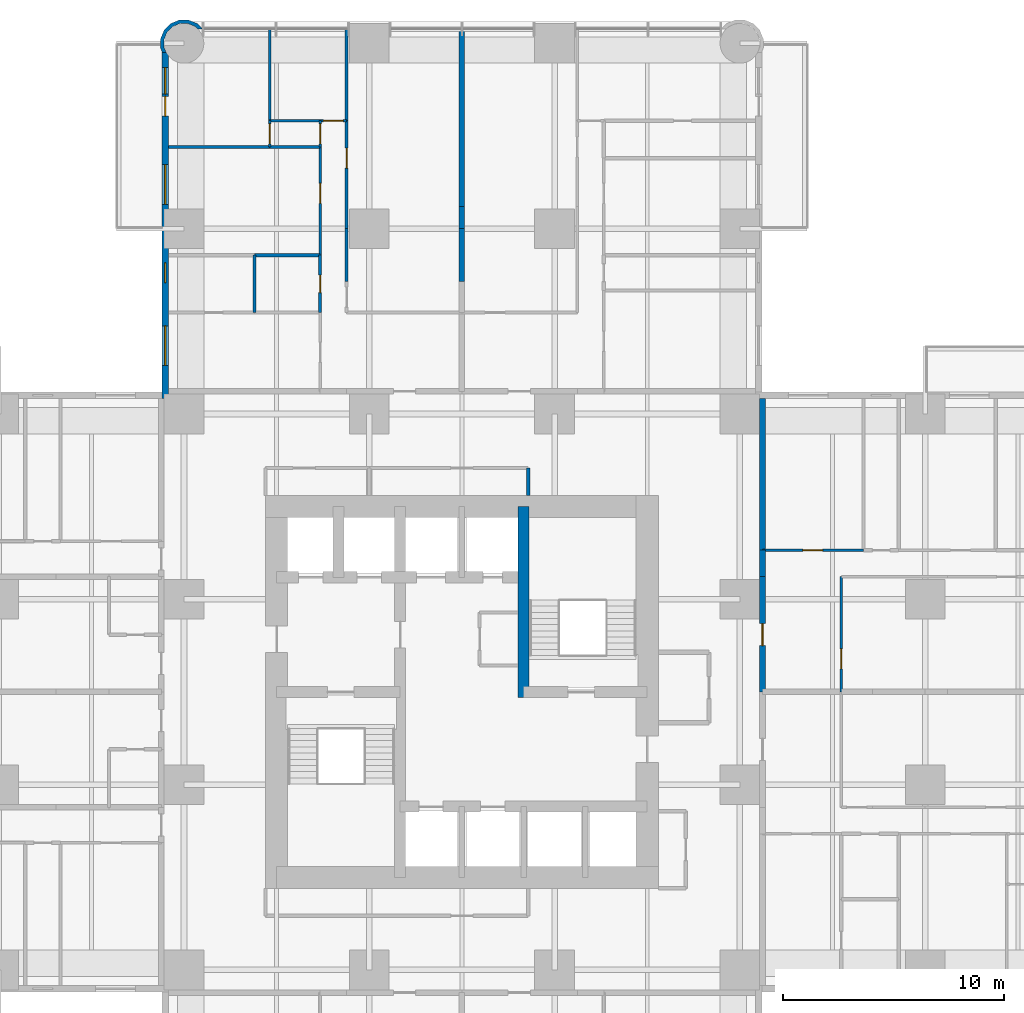
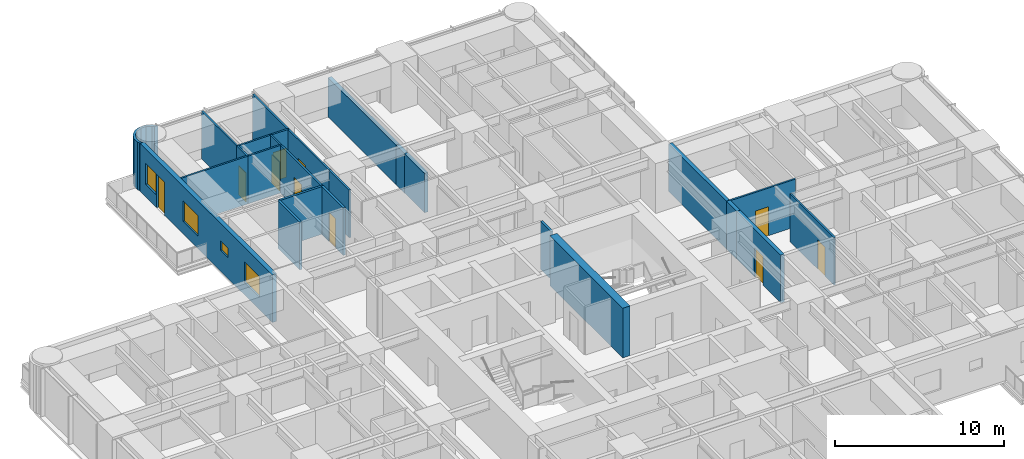
# One storey, part 13 of 17: 26 walls, 10 doors, 4 windows, 14 openings.
"""IFC4 building model written with IfcOpenShell, lengths in metres."""

from ifc_helpers import new_model, si_unit, direction, frame, frame_2d, origin, place, context, subcontext, project, spatial, polyline, rectangle, outline, extrude, material, layer, layer_set, type_object, element, fill, save


model = new_model("IFC4")

# Units and contexts
model_context = context("Model", 3, precision=1e-05, world=origin(), true_north=direction((0.0, 1.0)))
body_context = subcontext(model_context, "Body", "Model", "MODEL_VIEW")
ifc_project = project(units=[si_unit("LENGTHUNIT", "METRE"), si_unit("AREAUNIT", "SQUARE_METRE"), si_unit("VOLUMEUNIT", "CUBIC_METRE"), si_unit("PLANEANGLEUNIT", "RADIAN"), si_unit("MASSUNIT", "GRAM", prefix="KILO")], contexts=[model_context])

# Site, building, storey
site_placement = place(None, origin())
site = spatial("IfcSite", under=ifc_project, at=site_placement, CompositionType="ELEMENT")
building_placement = place(site_placement, origin())
building = spatial("IfcBuilding", under=site, at=building_placement, Name="Torre Alcanfor", CompositionType="ELEMENT")
storey_placement = place(building_placement, frame((0.0, 0.0, 74.10009765625)))
storey = spatial("IfcBuildingStorey", under=building, at=storey_placement, Name="L18", CompositionType="ELEMENT", Elevation=74.10009765625)

# Wall, opening, door
ifc_material_1 = material(Name="Concrete block masonry, hollow blocks NMX-C-404 9 MPa", Category="masonry")
ifc_layer_1 = layer(ifc_material_1, 0.25)
ifc_layer_set_1 = layer_set([ifc_layer_1], Name="Apartment entrance wall 250 EI 60")
wall_type_1 = type_object("IfcWallType", Name="Apartment entrance wall 250 EI 60", PredefinedType="PARTITIONING", material=ifc_layer_set_1)
wall_1_placement = place(storey_placement, frame((43.02490234375, 34.62890625, 0.0), z_axis=(0.0, 0.0, 1.0), x_axis=(0.0, -1.0, 0.0)))
wall_1 = element("IfcWall", 1, at=wall_1_placement, inside=storey, type_object=wall_type_1, Name="Partition L18-CORR / L18-E1-ZAG", PredefinedType="PARTITIONING", context=body_context, shape_type="SweptSolid", body=[
    extrude(rectangle(XDim=5.22900390625, YDim=0.25, at=frame_2d((2.614501953125, 0.0))), origin(), (0.0, 0.0, 1.0), 3.449951171875),
])
opening_1_placement = place(wall_1_placement, frame((2.12890625, 0.0, 0.0)))
opening_1 = element("IfcOpeningElement", 2, at=opening_1_placement, cuts=wall_1, Name="Opening D-A1", PredefinedType="OPENING", context=body_context, shape_type="SweptSolid", body=[
    extrude(rectangle(XDim=1.0, YDim=2.10009765625, at=frame_2d((0.5, 1.050048828125))), frame((0.0, 0.135009765625, 0.0), z_axis=(0.0, -1.0, 0.0), x_axis=(1.0, 0.0, 0.0)), (0.0, 0.0, 1.0), 0.27001953125),
])
ifc_material_2 = material(Name="Galvanised steel sheet ASTM A653", Category="steel")
door_type_1 = type_object("IfcDoorType", Name="Apartment entrance door FD60 1000x2100", OperationType="SINGLE_SWING_LEFT", PredefinedType="DOOR", material=ifc_material_2)
door_1_placement = place(opening_1_placement, origin())
door_1 = element("IfcDoor", 3, at=door_1_placement, inside=storey, type_object=door_type_1, Name="Apartment entrance L18-E1", OperationType="SINGLE_SWING_RIGHT", OverallHeight=2.10009765625, OverallWidth=1.0, PredefinedType="DOOR", context=body_context, shape_type="SweptSolid", body=[
    extrude(rectangle(XDim=1.0, YDim=2.10009765625, at=frame_2d((0.5, 1.050048828125))), frame((0.0, 0.02490234375, 0.0), z_axis=(0.0, -1.0, 0.0), x_axis=(1.0, 0.0, 0.0)), (0.0, 0.0, 1.0), 0.050048828125),
])
fill(opening_1, door_1)

# Walls
wall_2_placement = place(storey_placement, frame((43.02490234375, 35.8291015625, 0.0), z_axis=(0.0, 0.0, 1.0), x_axis=(0.0, -1.0, 0.0)))
element("IfcWall", 4, at=wall_2_placement, inside=storey, type_object=wall_type_1, Name="Partition L18-CORR / L18-E1-HALL", PredefinedType="PARTITIONING", context=body_context, shape_type="SweptSolid", body=[
    extrude(rectangle(XDim=1.2001953125, YDim=0.25, at=frame_2d((0.60009765625, 0.0))), origin(), (0.0, 0.0, 1.0), 3.449951171875),
])
wall_3_placement = place(storey_placement, frame((43.02490234375, 42.699951171875, 0.0), z_axis=(0.0, 0.0, 1.0), x_axis=(0.0, -1.0, 0.0)))
element("IfcWall", 5, at=wall_3_placement, inside=storey, type_object=wall_type_1, Name="Partition L18-CORR / L18-E1-BED3", PredefinedType="PARTITIONING", context=body_context, shape_type="SweptSolid", body=[
    extrude(rectangle(XDim=6.870849609375, YDim=0.25, at=frame_2d((3.435546875, 0.0))), origin(), (0.0, 0.0, 1.0), 3.449951171875),
])
ifc_material_3 = material(Name="Gypsum board on steel studs", Category="steel")
ifc_layer_2 = layer(ifc_material_3, 0.1201171875)
ifc_layer_set_2 = layer_set([ifc_layer_2], Name="Apartment partition 120")
wall_type_2 = type_object("IfcWallType", Name="Apartment partition 120", PredefinedType="PARTITIONING", material=ifc_layer_set_2)
wall_4_placement = place(storey_placement, frame((24.1708984375, 50.39990234375, 0.0), z_axis=(0.0, 0.0, 1.0), x_axis=(0.0, -1.0, 0.0)))
element("IfcWall", 6, at=wall_4_placement, inside=storey, type_object=wall_type_2, Name="Partition L18-N1-KITCHEN / L18-N1-HALL", PredefinedType="PARTITIONING", context=body_context, shape_type="SweptSolid", body=[
    extrude(rectangle(XDim=2.39990234375, YDim=0.1201171875, at=frame_2d((1.199951171875, 0.0))), origin(), (0.0, 0.0, 1.0), 3.449951171875),
])

# Wall, opening, door
wall_5_placement = place(storey_placement, frame((24.1708984375, 55.300048828125, 0.0), z_axis=(0.0, 0.0, 1.0), x_axis=(0.0, -1.0, 0.0)))
wall_5 = element("IfcWall", 7, at=wall_5_placement, inside=storey, type_object=wall_type_2, Name="Partition L18-N1-LIVING / L18-N1-HALL", PredefinedType="PARTITIONING", context=body_context, shape_type="SweptSolid", body=[
    extrude(rectangle(XDim=4.900146484375, YDim=0.1201171875, at=frame_2d((2.4501953125, 0.0))), origin(), (0.0, 0.0, 1.0), 3.449951171875),
])
opening_2_placement = place(wall_5_placement, frame((1.25, 0.0, 0.0)))
opening_2 = element("IfcOpeningElement", 8, at=opening_2_placement, cuts=wall_5, Name="Opening D-R1", PredefinedType="OPENING", context=body_context, shape_type="SweptSolid", body=[
    extrude(rectangle(XDim=0.89990234375, YDim=2.10009765625, at=frame_2d((0.449951171875, 1.050048828125))), frame((0.0, 0.070068359375, 0.0), z_axis=(0.0, -1.0, 0.0), x_axis=(1.0, 0.0, 0.0)), (0.0, 0.0, 1.0), 0.14013671875),
])
ifc_material_4 = material(Name="Timber", Category="wood")
door_type_2 = type_object("IfcDoorType", Name="Internal door 900x2100", OperationType="SINGLE_SWING_LEFT", PredefinedType="DOOR", material=ifc_material_4)
door_2_placement = place(opening_2_placement, origin())
door_2 = element("IfcDoor", 9, at=door_2_placement, inside=storey, type_object=door_type_2, Name="Door L18-N1 living", OperationType="SINGLE_SWING_RIGHT", OverallHeight=2.10009765625, OverallWidth=0.89990234375, PredefinedType="DOOR", context=body_context, shape_type="SweptSolid", body=[
    extrude(rectangle(XDim=0.89990234375, YDim=2.10009765625, at=frame_2d((0.449951171875, 1.050048828125))), frame((0.0, 0.02490234375, 0.0), z_axis=(0.0, -1.0, 0.0), x_axis=(1.0, 0.0, 0.0)), (0.0, 0.0, 1.0), 0.050048828125),
])
fill(opening_2, door_2)

# Wall
wall_6_placement = place(storey_placement, frame((24.1708984375, 59.449951171875, 0.0), z_axis=(0.0, 0.0, 1.0), x_axis=(0.0, -1.0, 0.0)))
element("IfcWall", 10, at=wall_6_placement, inside=storey, type_object=wall_type_2, Name="Partition L18-N1-LIVING / L18-N1-BED2", PredefinedType="PARTITIONING", context=body_context, shape_type="SweptSolid", body=[
    extrude(rectangle(XDim=4.14990234375, YDim=0.1201171875, at=frame_2d((2.074951171875, 0.0))), origin(), (0.0, 0.0, 1.0), 3.449951171875),
])

# Wall, opening, door
wall_7_placement = place(storey_placement, frame((22.970947265625, 54.10009765625, 0.0), z_axis=(0.0, 0.0, 1.0), x_axis=(0.0, -1.0, 0.0)))
wall_7 = element("IfcWall", 11, at=wall_7_placement, inside=storey, type_object=wall_type_2, Name="Partition L18-N1-HALL / L18-N1-BED3", PredefinedType="PARTITIONING", context=body_context, shape_type="SweptSolid", body=[
    extrude(rectangle(XDim=4.900146484375, YDim=0.1201171875, at=frame_2d((2.4501953125, 0.0))), origin(), (0.0, 0.0, 1.0), 3.449951171875),
])
opening_3_placement = place(wall_7_placement, frame((1.64990234375, 0.0, 0.0)))
opening_3 = element("IfcOpeningElement", 12, at=opening_3_placement, cuts=wall_7, Name="Opening D-R1", PredefinedType="OPENING", context=body_context, shape_type="SweptSolid", body=[
    extrude(rectangle(XDim=0.89990234375, YDim=2.10009765625, at=frame_2d((0.449951171875, 1.050048828125))), frame((0.0, 0.070068359375, 0.0), z_axis=(0.0, -1.0, 0.0), x_axis=(1.0, 0.0, 0.0)), (0.0, 0.0, 1.0), 0.14013671875),
])
door_3_placement = place(opening_3_placement, frame((0.89990234375, 0.0, 0.0), z_axis=(0.0, 0.0, 1.0), x_axis=(-1.0, 0.0, 0.0)))
door_3 = element("IfcDoor", 13, at=door_3_placement, inside=storey, type_object=door_type_2, Name="Door L18-N1 bed3", OperationType="SINGLE_SWING_RIGHT", OverallHeight=2.10009765625, OverallWidth=0.89990234375, PredefinedType="DOOR", context=body_context, shape_type="SweptSolid", body=[
    extrude(rectangle(XDim=0.89990234375, YDim=2.10009765625, at=frame_2d((0.449951171875, 1.050048828125))), frame((0.0, 0.025146484375, 0.0), z_axis=(0.0, -1.0, 0.0), x_axis=(1.0, 0.0, 0.0)), (0.0, 0.0, 1.0), 0.050048828125),
])
fill(opening_3, door_3)

wall_8_placement = place(storey_placement, frame((22.970947265625, 55.300048828125, 0.0), z_axis=(0.0, 0.0, 1.0), x_axis=(0.0, -1.0, 0.0)))
wall_8 = element("IfcWall", 14, at=wall_8_placement, inside=storey, type_object=wall_type_2, Name="Partition L18-N1-HALL / L18-N1-VEST", PredefinedType="PARTITIONING", context=body_context, shape_type="SweptSolid", body=[
    extrude(rectangle(XDim=1.199951171875, YDim=0.1201171875, at=frame_2d((0.60009765625, 0.0))), origin(), (0.0, 0.0, 1.0), 3.449951171875),
])
opening_4_placement = place(wall_8_placement, frame((0.14990234375, 0.0, 0.0)))
opening_4 = element("IfcOpeningElement", 15, at=opening_4_placement, cuts=wall_8, Name="Opening D-R1", PredefinedType="OPENING", context=body_context, shape_type="SweptSolid", body=[
    extrude(rectangle(XDim=0.89990234375, YDim=2.10009765625, at=frame_2d((0.449951171875, 1.050048828125))), frame((0.0, 0.070068359375, 0.0), z_axis=(0.0, -1.0, 0.0), x_axis=(1.0, 0.0, 0.0)), (0.0, 0.0, 1.0), 0.14013671875),
])
door_4_placement = place(opening_4_placement, frame((0.89990234375, 0.0, 0.0), z_axis=(0.0, 0.0, 1.0), x_axis=(-1.0, 0.0, 0.0)))
door_4 = element("IfcDoor", 16, at=door_4_placement, inside=storey, type_object=door_type_2, Name="Door L18-N1 vest", OperationType="SINGLE_SWING_RIGHT", OverallHeight=2.10009765625, OverallWidth=0.89990234375, PredefinedType="DOOR", context=body_context, shape_type="SweptSolid", body=[
    extrude(rectangle(XDim=0.89990234375, YDim=2.10009765625, at=frame_2d((0.449951171875, 1.050048828125))), frame((0.0, 0.025146484375, 0.0), z_axis=(0.0, -1.0, 0.0), x_axis=(1.0, 0.0, 0.0)), (0.0, 0.0, 1.0), 0.050048828125),
])
fill(opening_4, door_4)

wall_9_placement = place(storey_placement, frame((24.1708984375, 55.300048828125, 0.0), z_axis=(0.0, 0.0, 1.0), x_axis=(-1.0, 0.0, 0.0)))
wall_9 = element("IfcWall", 17, at=wall_9_placement, inside=storey, type_object=wall_type_2, Name="Partition L18-N1-HALL / L18-N1-BED2", PredefinedType="PARTITIONING", context=body_context, shape_type="SweptSolid", body=[
    extrude(rectangle(XDim=1.199951171875, YDim=0.1201171875, at=frame_2d((0.60009765625, 0.0))), origin(), (0.0, 0.0, 1.0), 3.449951171875),
])
opening_5_placement = place(wall_9_placement, frame((0.15087890625, 0.0, 0.0)))
opening_5 = element("IfcOpeningElement", 18, at=opening_5_placement, cuts=wall_9, Name="Opening D-R1", PredefinedType="OPENING", context=body_context, shape_type="SweptSolid", body=[
    extrude(rectangle(XDim=0.89990234375, YDim=2.10009765625, at=frame_2d((0.449951171875, 1.050048828125))), frame((0.0, 0.070068359375, 0.0), z_axis=(0.0, -1.0, 0.0), x_axis=(1.0, 0.0, 0.0)), (0.0, 0.0, 1.0), 0.14013671875),
])
door_5_placement = place(opening_5_placement, frame((0.89990234375, 0.0, 0.0), z_axis=(0.0, 0.0, 1.0), x_axis=(-1.0, 0.0, 0.0)))
door_5 = element("IfcDoor", 19, at=door_5_placement, inside=storey, type_object=door_type_2, Name="Door L18-N1 bed2", OperationType="SINGLE_SWING_RIGHT", OverallHeight=2.10009765625, OverallWidth=0.89990234375, PredefinedType="DOOR", context=body_context, shape_type="SweptSolid", body=[
    extrude(rectangle(XDim=0.89990234375, YDim=2.10009765625, at=frame_2d((0.449951171875, 1.050048828125))), frame((0.0, 0.025146484375, 0.0), z_axis=(0.0, -1.0, 0.0), x_axis=(1.0, 0.0, 0.0)), (0.0, 0.0, 1.0), 0.050048828125),
])
fill(opening_5, door_5)

# Walls
wall_10_placement = place(storey_placement, frame((22.970947265625, 54.10009765625, 0.0), z_axis=(0.0, 0.0, 1.0), x_axis=(-1.0, 0.0, 0.0)))
element("IfcWall", 20, at=wall_10_placement, inside=storey, type_object=wall_type_2, Name="Partition L18-N1-BED3 / L18-N1-VEST", PredefinedType="PARTITIONING", context=body_context, shape_type="SweptSolid", body=[
    extrude(rectangle(XDim=2.284912109375, YDim=0.1201171875, at=frame_2d((1.142578125, 0.0))), origin(), (0.0, 0.0, 1.0), 3.449951171875),
])
wall_11_placement = place(storey_placement, frame((20.68603515625, 54.10009765625, 0.0), z_axis=(0.0, 0.0, 1.0), x_axis=(-1.0, 0.0, 0.0)))
element("IfcWall", 21, at=wall_11_placement, inside=storey, type_object=wall_type_2, Name="Partition L18-N1-BED3 / L18-N1-MASTER", PredefinedType="PARTITIONING", context=body_context, shape_type="SweptSolid", body=[
    extrude(rectangle(XDim=4.5859375, YDim=0.1201171875, at=frame_2d((2.29296875, 0.0))), origin(), (0.0, 0.0, 1.0), 3.449951171875),
])
wall_12_placement = place(storey_placement, frame((22.970947265625, 55.300048828125, 0.0), z_axis=(0.0, 0.0, 1.0), x_axis=(-1.0, 0.0, 0.0)))
element("IfcWall", 22, at=wall_12_placement, inside=storey, type_object=wall_type_2, Name="Partition L18-N1-VEST / L18-N1-BED2", PredefinedType="PARTITIONING", context=body_context, shape_type="SweptSolid", body=[
    extrude(rectangle(XDim=2.284912109375, YDim=0.1201171875, at=frame_2d((1.142578125, 0.0))), origin(), (0.0, 0.0, 1.0), 3.449951171875),
])

# Wall, opening, door
wall_13_placement = place(storey_placement, frame((20.68603515625, 55.300048828125, 0.0), z_axis=(0.0, 0.0, 1.0), x_axis=(0.0, -1.0, 0.0)))
wall_13 = element("IfcWall", 23, at=wall_13_placement, inside=storey, type_object=wall_type_2, Name="Partition L18-N1-VEST / L18-N1-MASTER", PredefinedType="PARTITIONING", context=body_context, shape_type="SweptSolid", body=[
    extrude(rectangle(XDim=1.199951171875, YDim=0.1201171875, at=frame_2d((0.60009765625, 0.0))), origin(), (0.0, 0.0, 1.0), 3.449951171875),
])
opening_6_placement = place(wall_13_placement, frame((0.14990234375, 0.0, 0.0)))
opening_6 = element("IfcOpeningElement", 24, at=opening_6_placement, cuts=wall_13, Name="Opening D-R1", PredefinedType="OPENING", context=body_context, shape_type="SweptSolid", body=[
    extrude(rectangle(XDim=0.89990234375, YDim=2.10009765625, at=frame_2d((0.449951171875, 1.050048828125))), frame((0.0, 0.070068359375, 0.0), z_axis=(0.0, -1.0, 0.0), x_axis=(1.0, 0.0, 0.0)), (0.0, 0.0, 1.0), 0.14013671875),
])
door_6_placement = place(opening_6_placement, origin())
door_6 = element("IfcDoor", 25, at=door_6_placement, inside=storey, type_object=door_type_2, Name="Door L18-N1 master", OperationType="SINGLE_SWING_LEFT", OverallHeight=2.10009765625, OverallWidth=0.89990234375, PredefinedType="DOOR", context=body_context, shape_type="SweptSolid", body=[
    extrude(rectangle(XDim=0.89990234375, YDim=2.10009765625, at=frame_2d((0.449951171875, 1.050048828125))), frame((0.0, 0.02490234375, 0.0), z_axis=(0.0, -1.0, 0.0), x_axis=(1.0, 0.0, 0.0)), (0.0, 0.0, 1.0), 0.050048828125),
])
fill(opening_6, door_6)

# Wall
wall_14_placement = place(storey_placement, frame((20.68603515625, 59.449951171875, 0.0), z_axis=(0.0, 0.0, 1.0), x_axis=(0.0, -1.0, 0.0)))
element("IfcWall", 26, at=wall_14_placement, inside=storey, type_object=wall_type_2, Name="Partition L18-N1-BED2 / L18-N1-MASTER", PredefinedType="PARTITIONING", context=body_context, shape_type="SweptSolid", body=[
    extrude(rectangle(XDim=4.14990234375, YDim=0.1201171875, at=frame_2d((2.074951171875, 0.0))), origin(), (0.0, 0.0, 1.0), 3.449951171875),
])

# Wall, opening, door
wall_15_placement = place(storey_placement, frame((46.60009765625, 29.39990234375, 0.0), z_axis=(0.0, 0.0, 1.0), x_axis=(0.0, 1.0, 0.0)))
wall_15 = element("IfcWall", 27, at=wall_15_placement, inside=storey, type_object=wall_type_2, Name="Partition L18-E1-ZAG / L18-E1-KITCHEN", PredefinedType="PARTITIONING", context=body_context, shape_type="SweptSolid", body=[
    extrude(rectangle(XDim=5.22900390625, YDim=0.1201171875, at=frame_2d((2.614501953125, 0.0))), origin(), (0.0, 0.0, 1.0), 3.449951171875),
])
opening_7_placement = place(wall_15_placement, frame((1.050048828125, 0.0, 0.0)))
opening_7 = element("IfcOpeningElement", 28, at=opening_7_placement, cuts=wall_15, Name="Opening D-R1", PredefinedType="OPENING", context=body_context, shape_type="SweptSolid", body=[
    extrude(rectangle(XDim=0.89990234375, YDim=2.10009765625, at=frame_2d((0.449951171875, 1.050048828125))), frame((0.0, 0.070068359375, 0.0), z_axis=(0.0, -1.0, 0.0), x_axis=(1.0, 0.0, 0.0)), (0.0, 0.0, 1.0), 0.14013671875),
])
door_7_placement = place(opening_7_placement, frame((0.89990234375, 0.0, 0.0), z_axis=(0.0, 0.0, 1.0), x_axis=(-1.0, 0.0, 0.0)))
door_7 = element("IfcDoor", 29, at=door_7_placement, inside=storey, type_object=door_type_2, Name="Door L18-E1 kitchen", OperationType="SINGLE_SWING_RIGHT", OverallHeight=2.10009765625, OverallWidth=0.89990234375, PredefinedType="DOOR", context=body_context, shape_type="SweptSolid", body=[
    extrude(rectangle(XDim=0.89990234375, YDim=2.10009765625, at=frame_2d((0.449951171875, 1.050048828125))), frame((0.0, 0.025146484375, 0.0), z_axis=(0.0, -1.0, 0.0), x_axis=(1.0, 0.0, 0.0)), (0.0, 0.0, 1.0), 0.050048828125),
])
fill(opening_7, door_7)

wall_16_placement = place(storey_placement, frame((47.60009765625, 35.8291015625, 0.0), z_axis=(0.0, 0.0, 1.0), x_axis=(-1.0, 0.0, 0.0)))
wall_16 = element("IfcWall", 30, at=wall_16_placement, inside=storey, type_object=wall_type_2, Name="Partition L18-E1-HALL / L18-E1-BED3", PredefinedType="PARTITIONING", context=body_context, shape_type="SweptSolid", body=[
    extrude(rectangle(XDim=4.5751953125, YDim=0.1201171875, at=frame_2d((2.28759765625, 0.0))), origin(), (0.0, 0.0, 1.0), 3.449951171875),
])
opening_8_placement = place(wall_16_placement, frame((1.85009765625, 0.0, 0.0)))
opening_8 = element("IfcOpeningElement", 31, at=opening_8_placement, cuts=wall_16, Name="Opening D-R1", PredefinedType="OPENING", context=body_context, shape_type="SweptSolid", body=[
    extrude(rectangle(XDim=0.89990234375, YDim=2.10009765625, at=frame_2d((0.449951171875, 1.050048828125))), frame((0.0, 0.070068359375, 0.0), z_axis=(0.0, -1.0, 0.0), x_axis=(1.0, 0.0, 0.0)), (0.0, 0.0, 1.0), 0.14013671875),
])
door_8_placement = place(opening_8_placement, frame((0.89990234375, 0.0, 0.0), z_axis=(0.0, 0.0, 1.0), x_axis=(-1.0, 0.0, 0.0)))
door_8 = element("IfcDoor", 32, at=door_8_placement, inside=storey, type_object=door_type_2, Name="Door L18-E1 bed3", OperationType="SINGLE_SWING_LEFT", OverallHeight=2.10009765625, OverallWidth=0.89990234375, PredefinedType="DOOR", context=body_context, shape_type="SweptSolid", body=[
    extrude(rectangle(XDim=0.89990234375, YDim=2.10009765625, at=frame_2d((0.449951171875, 1.050048828125))), frame((0.0, 0.025146484375, 0.0), z_axis=(0.0, -1.0, 0.0), x_axis=(1.0, 0.0, 0.0)), (0.0, 0.0, 1.0), 0.050048828125),
])
fill(opening_8, door_8)

# Wall
ifc_material_5 = material(Name="Concrete f'c 70 MPa", Category="concrete")
ifc_layer_3 = layer(ifc_material_5, 0.5)
ifc_layer_set_3 = layer_set([ifc_layer_3], Name="Core inner wall 500 f'c70")
wall_type_3 = type_object("IfcWallType", Name="Core inner wall 500 f'c70", PredefinedType="SHEAR", material=ifc_layer_set_3)
wall_17_placement = place(storey_placement, frame((32.199951171875, 29.14990234375, 0.0), z_axis=(0.0, 0.0, 1.0), x_axis=(0.0, 1.0, 0.0)))
element("IfcWall", 33, at=wall_17_placement, inside=storey, type_object=wall_type_3, Name="Core wall X322N L18", PredefinedType="SHEAR", context=body_context, shape_type="SweptSolid", body=[
    extrude(rectangle(XDim=8.650146484375, YDim=0.5, at=frame_2d((4.3251953125, 0.0))), origin(), (0.0, 0.0, 1.0), 3.599853515625),
])

# Wall, openings, door, windows
ifc_material_6 = material(Name="Limestone cladding", Category="masonry")
ifc_layer_4 = layer(ifc_material_6, 0.0400390625, Name="Facing")
ifc_material_7 = material(Name="Ventilated air cavity")
ifc_layer_5 = layer(ifc_material_7, 0.02001953125, ventilated=True, Name="Ventilated joint")
ifc_material_8 = material(Name="Mineral wool insulation", Category="insulation")
ifc_layer_6 = layer(ifc_material_8, 0.10009765625, Name="Insulation")
ifc_material_9 = material(Name="Concrete f'c 35 MPa", Category="concrete")
ifc_layer_7 = layer(ifc_material_9, 0.139892578125, Name="Backing")
ifc_layer_set_4 = layer_set([ifc_layer_4, ifc_layer_5, ifc_layer_6, ifc_layer_7], Name="External wall stone-clad 300")
wall_type_4 = type_object("IfcWallType", Name="External wall stone-clad 300", PredefinedType="SOLIDWALL", material=ifc_layer_set_4)
wall_18_placement = place(storey_placement, frame((15.949951171875, 58.39990234375, 0.0), z_axis=(0.0, 0.0, 1.0), x_axis=(0.0, -1.0, 0.0)))
wall_18 = element("IfcWall", 34, at=wall_18_placement, inside=storey, type_object=wall_type_4, Name="External wall L18 12", PredefinedType="SOLIDWALL", context=body_context, shape_type="SweptSolid", body=[
    extrude(rectangle(XDim=15.699951171875, YDim=0.300048828125, at=frame_2d((7.85009765625, 0.0))), origin(), (0.0, 0.0, 1.0), 3.449951171875),
])
opening_9_placement = place(wall_18_placement, frame((12.39990234375, 0.0, 0.89990234375)))
opening_9 = element("IfcOpeningElement", 35, at=opening_9_placement, cuts=wall_18, Name="Opening W2", PredefinedType="OPENING", context=body_context, shape_type="SweptSolid", body=[
    extrude(rectangle(XDim=1.800048828125, YDim=1.5, at=frame_2d((0.89990234375, 0.75))), frame((0.0, 0.159912109375, 0.0), z_axis=(0.0, -1.0, 0.0), x_axis=(1.0, 0.0, 0.0)), (0.0, 0.0, 1.0), 0.320068359375),
])
opening_10_placement = place(wall_18_placement, frame((9.550048828125, 0.0, 1.5)))
opening_10 = element("IfcOpeningElement", 36, at=opening_10_placement, cuts=wall_18, Name="Opening W3", PredefinedType="OPENING", context=body_context, shape_type="SweptSolid", body=[
    extrude(rectangle(XDim=0.89990234375, YDim=0.699951171875, at=frame_2d((0.449951171875, 0.35009765625))), frame((0.0, 0.159912109375, 0.0), z_axis=(0.0, -1.0, 0.0), x_axis=(1.0, 0.0, 0.0)), (0.0, 0.0, 1.0), 0.320068359375),
])
opening_11_placement = place(wall_18_placement, frame((5.10009765625, 0.0, 0.89990234375)))
opening_11 = element("IfcOpeningElement", 37, at=opening_11_placement, cuts=wall_18, Name="Opening W2", PredefinedType="OPENING", context=body_context, shape_type="SweptSolid", body=[
    extrude(rectangle(XDim=1.800048828125, YDim=1.5, at=frame_2d((0.89990234375, 0.75))), frame((0.0, 0.159912109375, 0.0), z_axis=(0.0, -1.0, 0.0), x_axis=(1.0, 0.0, 0.0)), (0.0, 0.0, 1.0), 0.320068359375),
])
opening_12_placement = place(wall_18_placement, frame((2.0, 0.0, 0.0)))
opening_12 = element("IfcOpeningElement", 38, at=opening_12_placement, cuts=wall_18, Name="Opening D-B1", PredefinedType="OPENING", context=body_context, shape_type="SweptSolid", body=[
    extrude(rectangle(XDim=0.89990234375, YDim=2.39990234375, at=frame_2d((0.449951171875, 1.199951171875))), frame((0.0, 0.159912109375, 0.0), z_axis=(0.0, -1.0, 0.0), x_axis=(1.0, 0.0, 0.0)), (0.0, 0.0, 1.0), 0.320068359375),
])
opening_13_placement = place(wall_18_placement, frame((0.699951171875, 0.0, 0.89990234375)))
opening_13 = element("IfcOpeningElement", 39, at=opening_13_placement, cuts=wall_18, Name="Opening W4", PredefinedType="OPENING", context=body_context, shape_type="SweptSolid", body=[
    extrude(rectangle(XDim=1.199951171875, YDim=1.5, at=frame_2d((0.60009765625, 0.75))), frame((0.0, 0.159912109375, 0.0), z_axis=(0.0, -1.0, 0.0), x_axis=(1.0, 0.0, 0.0)), (0.0, 0.0, 1.0), 0.320068359375),
])
ifc_material_10 = material(Name="Aluminium and glass", Category="aluminium")
door_type_3 = type_object("IfcDoorType", Name="Balcony door glazed 900x2400", OperationType="SINGLE_SWING_LEFT", PredefinedType="DOOR", material=ifc_material_10)
door_9_placement = place(opening_12_placement, origin())
door_9 = element("IfcDoor", 40, at=door_9_placement, inside=storey, type_object=door_type_3, Name="Balcony door L18-N1", OperationType="SINGLE_SWING_RIGHT", OverallHeight=2.39990234375, OverallWidth=0.89990234375, PredefinedType="DOOR", context=body_context, shape_type="SweptSolid", body=[
    extrude(rectangle(XDim=0.89990234375, YDim=2.39990234375, at=frame_2d((0.449951171875, 1.199951171875))), frame((0.0, 0.02490234375, 0.0), z_axis=(0.0, -1.0, 0.0), x_axis=(1.0, 0.0, 0.0)), (0.0, 0.0, 1.0), 0.050048828125),
])
fill(opening_12, door_9)
ifc_material_11 = material(Name="Aluminium frame with clear double glazing", Category="aluminium")
window_type_1 = type_object("IfcWindowType", Name="Window bathroom 900x700", PartitioningType="SINGLE_PANEL", PredefinedType="WINDOW", material=ifc_material_11)
window_1_placement = place(opening_10_placement, origin())
window_1 = element("IfcWindow", 41, at=window_1_placement, inside=storey, type_object=window_type_1, Name="Window W3 L18-N1", OverallHeight=0.699951171875, OverallWidth=0.89990234375, PartitioningType="SINGLE_PANEL", PredefinedType="WINDOW", context=body_context, shape_type="SweptSolid", body=[
    extrude(rectangle(XDim=0.89990234375, YDim=0.699951171875, at=frame_2d((0.449951171875, 0.35009765625))), frame((0.0, 0.030029296875, 0.0), z_axis=(0.0, -1.0, 0.0), x_axis=(1.0, 0.0, 0.0)), (0.0, 0.0, 1.0), 0.06005859375),
])
fill(opening_10, window_1)
ifc_material_12 = material(Name="Aluminium frame with clear double glazing", Category="aluminium")
window_type_2 = type_object("IfcWindowType", Name="Window bedroom 1200x1500", PartitioningType="SINGLE_PANEL", PredefinedType="WINDOW", material=ifc_material_12)
window_2_placement = place(opening_13_placement, origin())
window_2 = element("IfcWindow", 42, at=window_2_placement, inside=storey, type_object=window_type_2, Name="Window W4 L18-N1", OverallHeight=1.5, OverallWidth=1.199951171875, PartitioningType="SINGLE_PANEL", PredefinedType="WINDOW", context=body_context, shape_type="SweptSolid", body=[
    extrude(rectangle(XDim=1.199951171875, YDim=1.5, at=frame_2d((0.60009765625, 0.75))), frame((0.0, 0.030029296875, 0.0), z_axis=(0.0, -1.0, 0.0), x_axis=(1.0, 0.0, 0.0)), (0.0, 0.0, 1.0), 0.06005859375),
])
fill(opening_13, window_2)
ifc_material_13 = material(Name="Aluminium frame with clear double glazing", Category="aluminium")
window_type_3 = type_object("IfcWindowType", Name="Window bedroom 1800x1500", PartitioningType="SINGLE_PANEL", PredefinedType="WINDOW", material=ifc_material_13)
window_3_placement = place(opening_9_placement, origin())
window_3 = element("IfcWindow", 43, at=window_3_placement, inside=storey, type_object=window_type_3, Name="Window W2 L18-N1", OverallHeight=1.5, OverallWidth=1.800048828125, PartitioningType="SINGLE_PANEL", PredefinedType="WINDOW", context=body_context, shape_type="SweptSolid", body=[
    extrude(rectangle(XDim=1.800048828125, YDim=1.5, at=frame_2d((0.89990234375, 0.75))), frame((0.0, 0.030029296875, 0.0), z_axis=(0.0, -1.0, 0.0), x_axis=(1.0, 0.0, 0.0)), (0.0, 0.0, 1.0), 0.06005859375),
])
fill(opening_9, window_3)
window_4_placement = place(opening_11_placement, origin())
window_4 = element("IfcWindow", 44, at=window_4_placement, inside=storey, type_object=window_type_3, Name="Window W2 L18-N1", OverallHeight=1.5, OverallWidth=1.800048828125, PartitioningType="SINGLE_PANEL", PredefinedType="WINDOW", context=body_context, shape_type="SweptSolid", body=[
    extrude(rectangle(XDim=1.800048828125, YDim=1.5, at=frame_2d((0.89990234375, 0.75))), frame((0.0, 0.030029296875, 0.0), z_axis=(0.0, -1.0, 0.0), x_axis=(1.0, 0.0, 0.0)), (0.0, 0.0, 1.0), 0.06005859375),
])
fill(opening_11, window_4)

# Walls
ifc_material_14 = material(Name="Concrete block masonry, hollow blocks NMX-C-404 9 MPa", Category="masonry")
ifc_layer_8 = layer(ifc_material_14, 0.25)
ifc_layer_set_5 = layer_set([ifc_layer_8], Name="Party wall 250 EI 60")
wall_type_5 = type_object("IfcWallType", Name="Party wall 250 EI 60", PredefinedType="PARTITIONING", material=ifc_layer_set_5)
wall_19_placement = place(storey_placement, frame((29.39990234375, 48.0, 0.0), z_axis=(0.0, 0.0, 1.0), x_axis=(0.0, 1.0, 0.0)))
element("IfcWall", 45, at=wall_19_placement, inside=storey, type_object=wall_type_5, Name="Partition L18-N1-KITCHEN / L18-N2-KITCHEN", PredefinedType="PARTITIONING", context=body_context, shape_type="SweptSolid", body=[
    extrude(rectangle(XDim=2.39990234375, YDim=0.25, at=frame_2d((1.199951171875, 0.0))), origin(), (0.0, 0.0, 1.0), 2.847900390625),
])
wall_20_placement = place(storey_placement, frame((29.39990234375, 50.39990234375, 0.0), z_axis=(0.0, 0.0, 1.0), x_axis=(0.0, 1.0, 0.0)))
element("IfcWall", 46, at=wall_20_placement, inside=storey, type_object=wall_type_5, Name="Partition L18-N1-LIVING / L18-N2-KITCHEN", PredefinedType="PARTITIONING", context=body_context, shape_type="SweptSolid", body=[
    extrude(rectangle(XDim=1.0, YDim=0.25, at=frame_2d((0.5, 0.0))), origin(), (0.0, 0.0, 1.0), 2.847900390625),
])
wall_21_placement = place(storey_placement, frame((29.39990234375, 51.39990234375, 0.0), z_axis=(0.0, 0.0, 1.0), x_axis=(0.0, 1.0, 0.0)))
element("IfcWall", 47, at=wall_21_placement, inside=storey, type_object=wall_type_5, Name="Partition L18-N1-LIVING / L18-N2-LIVING", PredefinedType="PARTITIONING", context=body_context, shape_type="SweptSolid", body=[
    extrude(rectangle(XDim=8.050048828125, YDim=0.25, at=frame_2d((4.02490234375, 0.0))), origin(), (0.0, 0.0, 1.0), 2.847900390625),
])
ifc_material_15 = material(Name="Concrete block masonry, hollow blocks NMX-C-404 9 MPa", Category="masonry")
ifc_layer_9 = layer(ifc_material_15, 0.14990234375)
ifc_layer_set_6 = layer_set([ifc_layer_9], Name="Residents' room partition 150")
wall_type_6 = type_object("IfcWallType", Name="Residents' room partition 150", PredefinedType="PARTITIONING", material=ifc_layer_set_6)
wall_22_placement = place(storey_placement, frame((32.39990234375, 38.300048828125, 0.0), z_axis=(0.0, 0.0, 1.0), x_axis=(0.0, 1.0, 0.0)))
element("IfcWall", 48, at=wall_22_placement, inside=storey, type_object=wall_type_6, Name="Partition L18-CORR / L18-G02", PredefinedType="PARTITIONING", context=body_context, shape_type="SweptSolid", body=[
    extrude(rectangle(XDim=1.25, YDim=0.14990234375, at=frame_2d((0.625, 0.0))), origin(), (0.0, 0.0, 1.0), 3.449951171875),
])
ifc_layer_10 = layer(ifc_material_6, 0.0400390625, Name="Facing")
ifc_layer_11 = layer(ifc_material_7, 0.02001953125, ventilated=True, Name="Ventilated joint")
ifc_layer_12 = layer(ifc_material_8, 0.10009765625, Name="Insulation")
ifc_layer_13 = layer(ifc_material_9, 0.139892578125, Name="Backing")
ifc_layer_set_7 = layer_set([ifc_layer_10, ifc_layer_11, ifc_layer_12, ifc_layer_13], Name="Rounded corner pier stone-clad 300")
wall_type_7 = type_object("IfcWallType", Name="Rounded corner pier stone-clad 300", PredefinedType="SOLIDWALL", material=ifc_layer_set_7)
wall_23_placement = place(storey_placement, frame((17.56659392, 59.410519256, 0.0), z_axis=(0.0, 0.0, 1.0), x_axis=(-0.377204953059, 0.926129809145, 0.0)))
element("IfcWall", 49, at=wall_23_placement, inside=storey, type_object=wall_type_7, Name="Corner pier L18 20", PredefinedType="SOLIDWALL", context=body_context, shape_type="SweptSolid", body=[
    extrude(outline(polyline([(-0.2696128896034876, 2.017259773730947), (-0.3700074466497617, 1.8406682313445892), (-0.10228391712117135, 1.84234447704578), (0.22963955939869596, 1.7071548112521016), (0.48448400216769655, 1.4552078217286728), (0.623591424193435, 1.1249193736895309), (0.6256953869469392, 0.7663384814459974), (0.4905057211532608, 0.43441500492612994), (0.23855873162983204, 0.17957056215712927), (0.0901868556189969, 0.11689353267829827), (0.010896458992050665, -0.07778365620699182), (0.024462813618203284, -0.08330911938656994), (0.3293875956360306, 0.04530321995417183), (0.4799529344667901, 0.19750641360159463), (0.4990544088845829, 0.19262629437695172), (0.507600976756774, 0.22526044306054033), (0.6260470289213595, 0.34520397592848606), (0.7850882774402169, 0.7356888832512456), (0.7822913942554518, 1.1572920874778148), (0.618751344370654, 1.5460366857348715), (0.3187584973433468, 1.8424700131097647), (-0.07172640997941271, 2.0015112616286217), (-0.24006791291721008, 2.0004813020300714), (-0.2696128896034876, 2.017259773730947)])), origin(), (0.0, 0.0, 1.0), 3.449951171875),
])

# Wall, opening, door
ifc_material_16 = material(Name="Cement board on steel studs", Category="steel")
ifc_layer_14 = layer(ifc_material_16, 0.14990234375)
ifc_layer_set_8 = layer_set([ifc_layer_14], Name="Wet area partition 150")
wall_type_8 = type_object("IfcWallType", Name="Wet area partition 150", PredefinedType="PARTITIONING", material=ifc_layer_set_8)
wall_24_placement = place(storey_placement, frame((22.970947265625, 49.199951171875, 0.0), z_axis=(0.0, 0.0, 1.0), x_axis=(0.0, -1.0, 0.0)))
wall_24 = element("IfcWall", 50, at=wall_24_placement, inside=storey, type_object=wall_type_8, Name="Partition L18-N1-HALL / L18-N1-BATH1", PredefinedType="PARTITIONING", context=body_context, shape_type="SweptSolid", body=[
    extrude(rectangle(XDim=2.599853515625, YDim=0.14990234375, at=frame_2d((1.2998046875, 0.0))), origin(), (0.0, 0.0, 1.0), 3.449951171875),
])
opening_14_placement = place(wall_24_placement, frame((0.89990234375, 0.0, 0.0)))
opening_14 = element("IfcOpeningElement", 51, at=opening_14_placement, cuts=wall_24, Name="Opening D-R2", PredefinedType="OPENING", context=body_context, shape_type="SweptSolid", body=[
    extrude(rectangle(XDim=0.800048828125, YDim=2.10009765625, at=frame_2d((0.39990234375, 1.050048828125))), frame((0.0, 0.0849609375, 0.0), z_axis=(0.0, -1.0, 0.0), x_axis=(1.0, 0.0, 0.0)), (0.0, 0.0, 1.0), 0.169921875),
])
ifc_material_17 = material(Name="Timber", Category="wood")
door_type_4 = type_object("IfcDoorType", Name="Bathroom door 800x2100", OperationType="SINGLE_SWING_LEFT", PredefinedType="DOOR", material=ifc_material_17)
door_10_placement = place(opening_14_placement, frame((0.800048828125, 0.0, 0.0), z_axis=(0.0, 0.0, 1.0), x_axis=(-1.0, 0.0, 0.0)))
door_10 = element("IfcDoor", 52, at=door_10_placement, inside=storey, type_object=door_type_4, Name="Door L18-N1 bath1", OperationType="SINGLE_SWING_RIGHT", OverallHeight=2.10009765625, OverallWidth=0.800048828125, PredefinedType="DOOR", context=body_context, shape_type="SweptSolid", body=[
    extrude(rectangle(XDim=0.800048828125, YDim=2.10009765625, at=frame_2d((0.400146484375, 1.050048828125))), frame((0.0, 0.025146484375, 0.0), z_axis=(0.0, -1.0, 0.0), x_axis=(1.0, 0.0, 0.0)), (0.0, 0.0, 1.0), 0.050048828125),
])
fill(opening_14, door_10)

# Walls
wall_25_placement = place(storey_placement, frame((20.0, 49.199951171875, 0.0), z_axis=(0.0, 0.0, 1.0), x_axis=(0.0, -1.0, 0.0)))
element("IfcWall", 53, at=wall_25_placement, inside=storey, type_object=wall_type_8, Name="Partition L18-N1-BATH1 / L18-N1-SBATH", PredefinedType="PARTITIONING", context=body_context, shape_type="SweptSolid", body=[
    extrude(rectangle(XDim=2.599853515625, YDim=0.14990234375, at=frame_2d((1.2998046875, 0.0))), origin(), (0.0, 0.0, 1.0), 3.449951171875),
])
wall_26_placement = place(storey_placement, frame((22.970947265625, 49.199951171875, 0.0), z_axis=(0.0, 0.0, 1.0), x_axis=(-1.0, 0.0, 0.0)))
element("IfcWall", 54, at=wall_26_placement, inside=storey, type_object=wall_type_8, Name="Partition L18-N1-BATH1 / L18-N1-BED3", PredefinedType="PARTITIONING", context=body_context, shape_type="SweptSolid", body=[
    extrude(rectangle(XDim=2.970947265625, YDim=0.14990234375, at=frame_2d((1.4853515625, 0.0))), origin(), (0.0, 0.0, 1.0), 3.449951171875),
])

save(model, "model.ifc")
